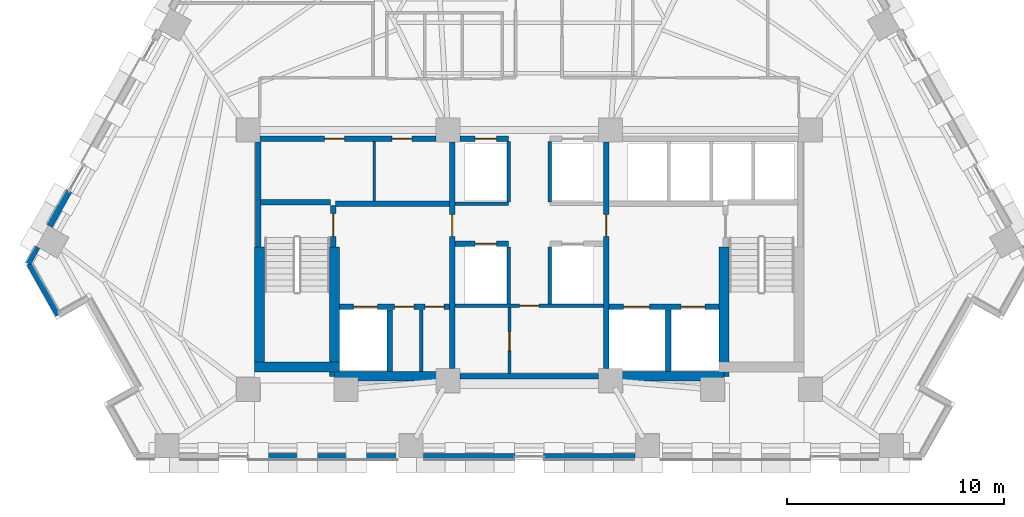
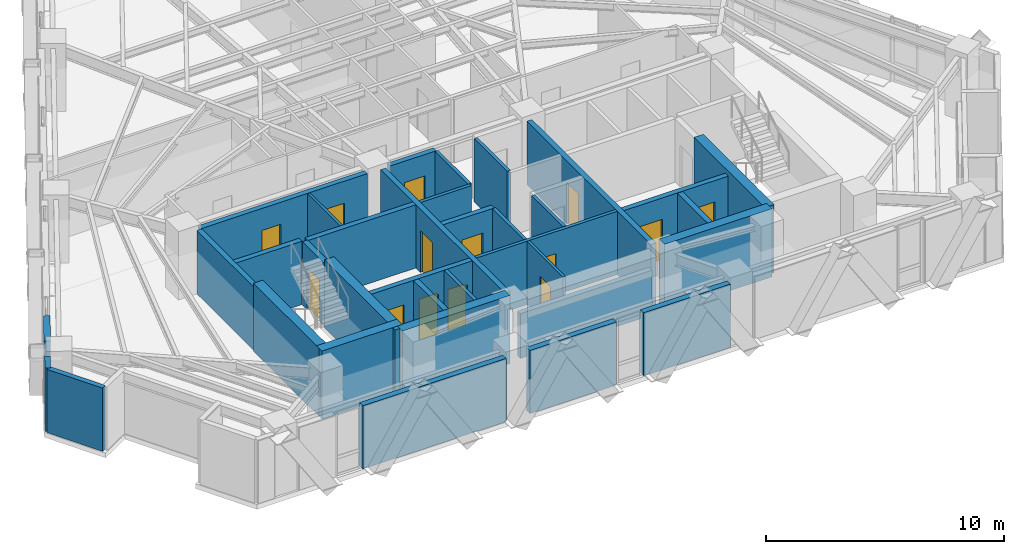
# One storey, part 7 of 13: 35 walls, 14 doors, 14 openings.
"""IFC4 building model written with IfcOpenShell, lengths in metres."""

from ifc_helpers import new_model, si_unit, direction, frame, frame_2d, origin, place, context, subcontext, project, spatial, rectangle, extrude, material, layer, layer_set, type_object, element, fill, save


model = new_model("IFC4")

# Units and contexts
model_context = context("Model", 3, precision=1e-05, world=origin(), true_north=direction((0.0, 1.0)))
body_context = subcontext(model_context, "Body", "Model", "MODEL_VIEW")
ifc_project = project(units=[si_unit("LENGTHUNIT", "METRE"), si_unit("AREAUNIT", "SQUARE_METRE"), si_unit("VOLUMEUNIT", "CUBIC_METRE"), si_unit("PLANEANGLEUNIT", "RADIAN"), si_unit("MASSUNIT", "GRAM", prefix="KILO")], contexts=[model_context])

# Site, building, storey
site_placement = place(None, origin())
site = spatial("IfcSite", under=ifc_project, at=site_placement, CompositionType="ELEMENT")
building_placement = place(site_placement, origin())
building = spatial("IfcBuilding", under=site, at=building_placement, Name="Quenlor Broadcast Tower", CompositionType="ELEMENT")
storey_placement = place(building_placement, frame((0.0, 0.0, 105.5)))
storey = spatial("IfcBuildingStorey", under=building, at=storey_placement, Name="L28", CompositionType="ELEMENT", Elevation=105.5)

# Walls
ifc_material_1 = material(Name="Concrete C50/60", Category="concrete")
ifc_layer_1 = layer(ifc_material_1, 0.449951171875)
ifc_layer_set_1 = layer_set([ifc_layer_1], Name="Core Concrete C50/60 Shear Wall 450")
wall_type_1 = type_object("IfcWallType", Name="Core Concrete C50/60 Shear Wall 450", PredefinedType="SHEAR", material=ifc_layer_set_1)
wall_1_placement = place(storey_placement, frame((-12.64990234375, -15.72509765625, 0.0), z_axis=(0.0, 0.0, 1.0), x_axis=(1.0, 0.0, 0.0)))
element("IfcWall", 1, at=wall_1_placement, inside=storey, type_object=wall_type_1, Name="L28 Core Shear Wall WS-W1", PredefinedType="SHEAR", context=body_context, shape_type="SweptSolid", body=[
    extrude(rectangle(XDim=3.89990234375, YDim=0.449951171875, at=frame_2d((1.949951171875, 0.0))), origin(), (0.0, 0.0, 1.0), 3.5),
])
for number, where, z_axis, x_axis, name in (
    (2, (-8.97509765625, -16.14990234375, 0.0), (0.0, 0.0, 1.0), (1.0, 0.0, 0.0), "L28 Core Shear Wall WS-W2"),
    (3, (3.75, -16.14990234375, 0.0), (0.0, 0.0, 1.0), (1.0, 0.0, 0.0), "L28 Core Shear Wall WS-E1"),
):
    element("IfcWall", number, at=place(storey_placement, frame(where, z_axis=z_axis, x_axis=x_axis)), inside=storey, type_object=wall_type_1, Name=name, PredefinedType="SHEAR", context=body_context, shape_type="SweptSolid", body=[
        extrude(rectangle(XDim=5.22509765625, YDim=0.449951171875, at=frame_2d((2.612548828125, 0.0))), origin(), (0.0, 0.0, 1.0), 3.5),
    ])
wall_2_placement = place(storey_placement, frame((-12.425048828125, -15.72509765625, 0.0), z_axis=(0.0, 0.0, 1.0), x_axis=(0.0, 1.0, 0.0)))
element("IfcWall", 4, at=wall_2_placement, inside=storey, type_object=wall_type_1, Name="L28 Core Shear Wall WF-W", PredefinedType="SHEAR", context=body_context, shape_type="SweptSolid", body=[
    extrude(rectangle(XDim=5.525146484375, YDim=0.449951171875, at=frame_2d((2.7626953125, 0.0))), origin(), (0.0, 0.0, 1.0), 3.5),
])
for number, where, z_axis, x_axis, name in (
    (5, (-8.97509765625, -16.14990234375, 0.0), (0.0, 0.0, 1.0), (0.0, 1.0, 0.0), "L28 Core Shear Wall WI-W"),
    (6, (8.97509765625, -16.14990234375, 0.0), (0.0, 0.0, 1.0), (0.0, 1.0, 0.0), "L28 Core Shear Wall WI-E"),
):
    element("IfcWall", number, at=place(storey_placement, frame(where, z_axis=z_axis, x_axis=x_axis)), inside=storey, type_object=wall_type_1, Name=name, PredefinedType="SHEAR", context=body_context, shape_type="SweptSolid", body=[
        extrude(rectangle(XDim=5.949951171875, YDim=0.449951171875, at=frame_2d((2.97509765625, 0.0))), origin(), (0.0, 0.0, 1.0), 3.5),
    ])

# Wall, opening, door
ifc_material_2 = material(Name="Concrete C40/50", Category="concrete")
ifc_layer_2 = layer(ifc_material_2, 0.25)
ifc_layer_set_2 = layer_set([ifc_layer_2], Name="Fire Rated Concrete C40/50 Core Wall 250")
wall_type_2 = type_object("IfcWallType", Name="Fire Rated Concrete C40/50 Core Wall 250", PredefinedType="PARTITIONING", material=ifc_layer_set_2)
wall_3_placement = place(storey_placement, frame((-9.0400390625, -10.179931640625, 0.0), z_axis=(0.0, 0.0, 1.0), x_axis=(0.0, 1.0, 0.0)))
wall_3 = element("IfcWall", 7, at=wall_3_placement, inside=storey, type_object=wall_type_2, Name="L28 Interior Wall CW-ST1-DR", PredefinedType="PARTITIONING", context=body_context, shape_type="SweptSolid", body=[
    extrude(rectangle(XDim=1.89990234375, YDim=0.25, at=frame_2d((0.949951171875, 0.0))), origin(), (0.0, 0.0, 1.0), 3.25),
])
opening_1_placement = place(wall_3_placement, frame((0.47998046875, 0.0, 0.0)))
opening_1 = element("IfcOpeningElement", 8, at=opening_1_placement, cuts=wall_3, Name="Opening FD-1", PredefinedType="OPENING", context=body_context, shape_type="SweptSolid", body=[
    extrude(rectangle(XDim=1.050048828125, YDim=2.14990234375, at=frame_2d((0.52490234375, 1.074951171875))), frame((0.0, 0.135009765625, 0.0), z_axis=(0.0, -1.0, 0.0), x_axis=(1.0, 0.0, 0.0)), (0.0, 0.0, 1.0), 0.27001953125),
])
ifc_material_3 = material(Name="Fire Rated Steel Door Leaf", Category="steel")
door_type_1 = type_object("IfcDoorType", Name="Fire Isolated Stair Door 1050x2150", OperationType="NOTDEFINED", PredefinedType="DOOR", material=ifc_material_3)
door_1_placement = place(opening_1_placement, origin())
door_1 = element("IfcDoor", 9, at=door_1_placement, inside=storey, type_object=door_type_1, Name="L28 Door DR-ST1", OperationType="SINGLE_SWING_LEFT", OverallHeight=2.14990234375, OverallWidth=1.050048828125, PredefinedType="DOOR", context=body_context, shape_type="SweptSolid", body=[
    extrude(rectangle(XDim=1.050048828125, YDim=2.14990234375, at=frame_2d((0.52490234375, 1.074951171875))), frame((0.0, 0.02490234375, 0.0), z_axis=(0.0, -1.0, 0.0), x_axis=(1.0, 0.0, 0.0)), (0.0, 0.0, 1.0), 0.050048828125),
])
fill(opening_1, door_1)

# Walls
wall_4_placement = place(storey_placement, frame((-12.3798828125, -8.1201171875, 0.0), z_axis=(0.0, 0.0, 1.0), x_axis=(1.0, 0.0, 0.0)))
element("IfcWall", 10, at=wall_4_placement, inside=storey, type_object=wall_type_2, Name="L28 Interior Wall CW-ST1-N", PredefinedType="PARTITIONING", context=body_context, shape_type="SweptSolid", body=[
    extrude(rectangle(XDim=3.219970703125, YDim=0.25, at=frame_2d((1.60986328125, 0.0))), origin(), (0.0, 0.0, 1.0), 3.25),
])
wall_5_placement = place(storey_placement, frame((-12.47998046875, -10.179931640625, 0.0), z_axis=(0.0, 0.0, 1.0), x_axis=(0.0, 1.0, 0.0)))
element("IfcWall", 11, at=wall_5_placement, inside=storey, type_object=wall_type_2, Name="L28 Interior Wall CW-ST1-W2", PredefinedType="PARTITIONING", context=body_context, shape_type="SweptSolid", body=[
    extrude(rectangle(XDim=4.827880859375, YDim=0.25, at=frame_2d((2.4140625, 0.0))), origin(), (0.0, 0.0, 1.0), 3.25),
])

# Wall, openings, doors
wall_6_placement = place(storey_placement, frame((-8.748046875, -12.949951171875, 0.0), z_axis=(0.0, 0.0, 1.0), x_axis=(1.0, 0.0, 0.0)))
wall_6 = element("IfcWall", 12, at=wall_6_placement, inside=storey, type_object=wall_type_2, Name="L28 Interior Wall CW-FFW-S", PredefinedType="PARTITIONING", context=body_context, shape_type="SweptSolid", body=[
    extrude(rectangle(XDim=5.068115234375, YDim=0.25, at=frame_2d((2.5341796875, 0.0))), origin(), (0.0, 0.0, 1.0), 3.25),
])
opening_2_placement = place(wall_6_placement, frame((0.64794921875, 0.0, 0.0)))
opening_2 = element("IfcOpeningElement", 13, at=opening_2_placement, cuts=wall_6, Name="Opening LD-FFL-1", PredefinedType="OPENING", context=body_context, shape_type="SweptSolid", body=[
    extrude(rectangle(XDim=1.10009765625, YDim=2.14990234375, at=frame_2d((0.550048828125, 1.074951171875))), frame((0.0, 0.135009765625, 0.0), z_axis=(0.0, -1.0, 0.0), x_axis=(1.0, 0.0, 0.0)), (0.0, 0.0, 1.0), 0.27001953125),
])
opening_3_placement = place(wall_6_placement, frame((2.548095703125, 0.0, 0.0)))
opening_3 = element("IfcOpeningElement", 14, at=opening_3_placement, cuts=wall_6, Name="Opening TD-1", PredefinedType="OPENING", context=body_context, shape_type="SweptSolid", body=[
    extrude(rectangle(XDim=0.8798828125, YDim=2.10009765625, at=frame_2d((0.43994140625, 1.050048828125))), frame((0.0, 0.135009765625, 0.0), z_axis=(0.0, -1.0, 0.0), x_axis=(1.0, 0.0, 0.0)), (0.0, 0.0, 1.0), 0.27001953125),
])
opening_4_placement = place(wall_6_placement, frame((3.947998046875, 0.0, 0.0)))
opening_4 = element("IfcOpeningElement", 15, at=opening_4_placement, cuts=wall_6, Name="Opening TD-1", PredefinedType="OPENING", context=body_context, shape_type="SweptSolid", body=[
    extrude(rectangle(XDim=0.8798828125, YDim=2.10009765625, at=frame_2d((0.43994140625, 1.050048828125))), frame((0.0, 0.135009765625, 0.0), z_axis=(0.0, -1.0, 0.0), x_axis=(1.0, 0.0, 0.0)), (0.0, 0.0, 1.0), 0.27001953125),
])
ifc_material_4 = material(Name="Brushed Stainless Steel", Category="steel")
door_type_2 = type_object("IfcDoorType", Name="Emergency Lift Sliding Landing Door 1100x2150", OperationType="NOTDEFINED", PredefinedType="DOOR", material=ifc_material_4)
door_2_placement = place(opening_2_placement, origin())
door_2 = element("IfcDoor", 16, at=door_2_placement, inside=storey, type_object=door_type_2, Name="L28 Door LD-FFL-1", OperationType="SLIDING_TO_LEFT", OverallHeight=2.14990234375, OverallWidth=1.10009765625, PredefinedType="DOOR", context=body_context, shape_type="SweptSolid", body=[
    extrude(rectangle(XDim=1.10009765625, YDim=2.14990234375, at=frame_2d((0.550048828125, 1.074951171875))), frame((0.0, 0.02490234375, 0.0), z_axis=(0.0, -1.0, 0.0), x_axis=(1.0, 0.0, 0.0)), (0.0, 0.0, 1.0), 0.050048828125),
])
fill(opening_2, door_2)
ifc_material_5 = material(Name="Fire Rated Steel Access Panel", Category="steel")
door_type_3 = type_object("IfcDoorType", Name="Riser Shaft Rated Access Trapdoor 880x2100", OperationType="NOTDEFINED", PredefinedType="TRAPDOOR", material=ifc_material_5)
door_3_placement = place(opening_3_placement, origin())
door_3 = element("IfcDoor", 17, at=door_3_placement, inside=storey, type_object=door_type_3, Name="L28 Door DR-ELR", OperationType="SINGLE_SWING_LEFT", OverallHeight=2.10009765625, OverallWidth=0.8798828125, PredefinedType="TRAPDOOR", context=body_context, shape_type="SweptSolid", body=[
    extrude(rectangle(XDim=0.8798828125, YDim=2.10009765625, at=frame_2d((0.43994140625, 1.050048828125))), frame((0.0, 0.02490234375, 0.0), z_axis=(0.0, -1.0, 0.0), x_axis=(1.0, 0.0, 0.0)), (0.0, 0.0, 1.0), 0.050048828125),
])
fill(opening_3, door_3)
door_4_placement = place(opening_4_placement, origin())
door_4 = element("IfcDoor", 18, at=door_4_placement, inside=storey, type_object=door_type_3, Name="L28 Door DR-CMR", OperationType="SINGLE_SWING_RIGHT", OverallHeight=2.10009765625, OverallWidth=0.8798828125, PredefinedType="TRAPDOOR", context=body_context, shape_type="SweptSolid", body=[
    extrude(rectangle(XDim=0.8798828125, YDim=2.10009765625, at=frame_2d((0.43994140625, 1.050048828125))), frame((0.0, 0.02490234375, 0.0), z_axis=(0.0, -1.0, 0.0), x_axis=(1.0, 0.0, 0.0)), (0.0, 0.0, 1.0), 0.050048828125),
])
fill(opening_4, door_4)

wall_7_placement = place(storey_placement, frame((3.679931640625, -12.949951171875, 0.0), z_axis=(0.0, 0.0, 1.0), x_axis=(1.0, 0.0, 0.0)))
wall_7 = element("IfcWall", 19, at=wall_7_placement, inside=storey, type_object=wall_type_2, Name="L28 Interior Wall CW-FFE-S", PredefinedType="PARTITIONING", context=body_context, shape_type="SweptSolid", body=[
    extrude(rectangle(XDim=5.068115234375, YDim=0.25, at=frame_2d((2.5341796875, 0.0))), origin(), (0.0, 0.0, 1.0), 3.25),
])
opening_5_placement = place(wall_7_placement, frame((3.320068359375, 0.0, 0.0)))
opening_5 = element("IfcOpeningElement", 20, at=opening_5_placement, cuts=wall_7, Name="Opening LD-FFL-2", PredefinedType="OPENING", context=body_context, shape_type="SweptSolid", body=[
    extrude(rectangle(XDim=1.10009765625, YDim=2.14990234375, at=frame_2d((0.550048828125, 1.074951171875))), frame((0.0, 0.135009765625, 0.0), z_axis=(0.0, -1.0, 0.0), x_axis=(1.0, 0.0, 0.0)), (0.0, 0.0, 1.0), 0.27001953125),
])
opening_6_placement = place(wall_7_placement, frame((0.669921875, 0.0, 0.0)))
opening_6 = element("IfcOpeningElement", 21, at=opening_6_placement, cuts=wall_7, Name="Opening LD-SVL-1", PredefinedType="OPENING", context=body_context, shape_type="SweptSolid", body=[
    extrude(rectangle(XDim=1.199951171875, YDim=2.14990234375, at=frame_2d((0.60009765625, 1.074951171875))), frame((0.0, 0.135009765625, 0.0), z_axis=(0.0, -1.0, 0.0), x_axis=(1.0, 0.0, 0.0)), (0.0, 0.0, 1.0), 0.27001953125),
])
door_5_placement = place(opening_5_placement, origin())
door_5 = element("IfcDoor", 22, at=door_5_placement, inside=storey, type_object=door_type_2, Name="L28 Door LD-FFL-2", OperationType="SLIDING_TO_RIGHT", OverallHeight=2.14990234375, OverallWidth=1.10009765625, PredefinedType="DOOR", context=body_context, shape_type="SweptSolid", body=[
    extrude(rectangle(XDim=1.10009765625, YDim=2.14990234375, at=frame_2d((0.550048828125, 1.074951171875))), frame((0.0, 0.02490234375, 0.0), z_axis=(0.0, -1.0, 0.0), x_axis=(1.0, 0.0, 0.0)), (0.0, 0.0, 1.0), 0.050048828125),
])
fill(opening_5, door_5)
ifc_material_6 = material(Name="Brushed Stainless Steel", Category="steel")
door_type_4 = type_object("IfcDoorType", Name="Goods Lift Sliding Landing Door 1200x2150", OperationType="NOTDEFINED", PredefinedType="DOOR", material=ifc_material_6)
door_6_placement = place(opening_6_placement, origin())
door_6 = element("IfcDoor", 23, at=door_6_placement, inside=storey, type_object=door_type_4, Name="L28 Door LD-SVL-1", OperationType="SLIDING_TO_LEFT", OverallHeight=2.14990234375, OverallWidth=1.199951171875, PredefinedType="DOOR", context=body_context, shape_type="SweptSolid", body=[
    extrude(rectangle(XDim=1.199951171875, YDim=2.14990234375, at=frame_2d((0.60009765625, 1.074951171875))), frame((0.0, 0.02490234375, 0.0), z_axis=(0.0, -1.0, 0.0), x_axis=(1.0, 0.0, 0.0)), (0.0, 0.0, 1.0), 0.050048828125),
])
fill(opening_6, door_6)

# Walls
for number, where, z_axis, x_axis, name in (
    (24, (-6.419921875, -15.919921875, 0.0), (0.0, 0.0, 1.0), (0.0, 1.0, 0.0), "L28 Interior Wall CW-FF1-E"),
    (25, (6.39990234375, -15.919921875, 0.0), (0.0, 0.0, 1.0), (0.0, 1.0, 0.0), "L28 Interior Wall CW-SV1-E"),
):
    element("IfcWall", number, at=place(storey_placement, frame(where, z_axis=z_axis, x_axis=x_axis)), inside=storey, type_object=wall_type_2, Name=name, PredefinedType="PARTITIONING", context=body_context, shape_type="SweptSolid", body=[
        extrude(rectangle(XDim=2.829833984375, YDim=0.25, at=frame_2d((1.4150390625, 0.0))), origin(), (0.0, 0.0, 1.0), 3.25),
    ])
wall_8_placement = place(storey_placement, frame((-8.919921875, -8.199951171875, 0.0), z_axis=(0.0, 0.0, 1.0), x_axis=(1.0, 0.0, 0.0)))
element("IfcWall", 26, at=wall_8_placement, inside=storey, type_object=wall_type_2, Name="L28 Interior Wall CW-FFW-N", PredefinedType="PARTITIONING", context=body_context, shape_type="SweptSolid", body=[
    extrude(rectangle(XDim=5.239990234375, YDim=0.25, at=frame_2d((2.6201171875, 0.0))), origin(), (0.0, 0.0, 1.0), 3.25),
])

# Wall, opening, door
wall_9_placement = place(storey_placement, frame((-3.550048828125, -15.798095703125, 0.0), z_axis=(0.0, 0.0, 1.0), x_axis=(0.0, 1.0, 0.0)))
wall_9 = element("IfcWall", 27, at=wall_9_placement, inside=storey, type_object=wall_type_2, Name="L28 Interior Wall CW-FFW-E", PredefinedType="PARTITIONING", context=body_context, shape_type="SweptSolid", body=[
    extrude(rectangle(XDim=10.446044921875, YDim=0.25, at=frame_2d((5.22314453125, 0.0))), origin(), (0.0, 0.0, 1.0), 3.25),
])
opening_7_placement = place(wall_9_placement, frame((6.097900390625, 0.0, 0.0)))
opening_7 = element("IfcOpeningElement", 28, at=opening_7_placement, cuts=wall_9, Name="Opening FD-2", PredefinedType="OPENING", context=body_context, shape_type="SweptSolid", body=[
    extrude(rectangle(XDim=1.0, YDim=2.14990234375, at=frame_2d((0.5, 1.074951171875))), frame((0.0, 0.135009765625, 0.0), z_axis=(0.0, -1.0, 0.0), x_axis=(1.0, 0.0, 0.0)), (0.0, 0.0, 1.0), 0.27001953125),
])
ifc_material_7 = material(Name="Fire Rated Glazed Steel Door", Category="steel")
door_type_5 = type_object("IfcDoorType", Name="Firefighting Lobby Smoke Door 1000x2150", OperationType="NOTDEFINED", PredefinedType="DOOR", material=ifc_material_7)
door_7_placement = place(opening_7_placement, origin())
door_7 = element("IfcDoor", 29, at=door_7_placement, inside=storey, type_object=door_type_5, Name="L28 Door DR-FFLW", OperationType="SINGLE_SWING_RIGHT", OverallHeight=2.14990234375, OverallWidth=1.0, PredefinedType="DOOR", context=body_context, shape_type="SweptSolid", body=[
    extrude(rectangle(XDim=1.0, YDim=2.14990234375, at=frame_2d((0.5, 1.074951171875))), frame((0.0, 0.02490234375, 0.0), z_axis=(0.0, -1.0, 0.0), x_axis=(1.0, 0.0, 0.0)), (0.0, 0.0, 1.0), 0.050048828125),
])
fill(opening_7, door_7)

wall_10_placement = place(storey_placement, frame((3.550048828125, -15.798095703125, 0.0), z_axis=(0.0, 0.0, 1.0), x_axis=(0.0, 1.0, 0.0)))
wall_10 = element("IfcWall", 30, at=wall_10_placement, inside=storey, type_object=wall_type_2, Name="L28 Interior Wall CW-FFE-W", PredefinedType="PARTITIONING", context=body_context, shape_type="SweptSolid", body=[
    extrude(rectangle(XDim=10.446044921875, YDim=0.25, at=frame_2d((5.22314453125, 0.0))), origin(), (0.0, 0.0, 1.0), 3.25),
])
opening_8_placement = place(wall_10_placement, frame((6.097900390625, 0.0, 0.0)))
opening_8 = element("IfcOpeningElement", 31, at=opening_8_placement, cuts=wall_10, Name="Opening FD-2", PredefinedType="OPENING", context=body_context, shape_type="SweptSolid", body=[
    extrude(rectangle(XDim=1.0, YDim=2.14990234375, at=frame_2d((0.5, 1.074951171875))), frame((0.0, 0.135009765625, 0.0), z_axis=(0.0, -1.0, 0.0), x_axis=(1.0, 0.0, 0.0)), (0.0, 0.0, 1.0), 0.27001953125),
])
door_8_placement = place(opening_8_placement, origin())
door_8 = element("IfcDoor", 32, at=door_8_placement, inside=storey, type_object=door_type_5, Name="L28 Door DR-FFLE", OperationType="SINGLE_SWING_LEFT", OverallHeight=2.14990234375, OverallWidth=1.0, PredefinedType="DOOR", context=body_context, shape_type="SweptSolid", body=[
    extrude(rectangle(XDim=1.0, YDim=2.14990234375, at=frame_2d((0.5, 1.074951171875))), frame((0.0, 0.02490234375, 0.0), z_axis=(0.0, -1.0, 0.0), x_axis=(1.0, 0.0, 0.0)), (0.0, 0.0, 1.0), 0.050048828125),
])
fill(opening_8, door_8)

# Wall, openings, doors
wall_11_placement = place(storey_placement, frame((-12.39794921875, -5.199951171875, 0.0), z_axis=(0.0, 0.0, 1.0), x_axis=(1.0, 0.0, 0.0)))
wall_11 = element("IfcWall", 33, at=wall_11_placement, inside=storey, type_object=wall_type_2, Name="L28 Interior Wall CW-N-W", PredefinedType="PARTITIONING", context=body_context, shape_type="SweptSolid", body=[
    extrude(rectangle(XDim=8.095947265625, YDim=0.25, at=frame_2d((4.0478515625, 0.0))), origin(), (0.0, 0.0, 1.0), 3.25),
])
opening_9_placement = place(wall_11_placement, frame((2.968017578125, 0.0, 0.0)))
opening_9 = element("IfcOpeningElement", 34, at=opening_9_placement, cuts=wall_11, Name="Opening ID-1", PredefinedType="OPENING", context=body_context, shape_type="SweptSolid", body=[
    extrude(rectangle(XDim=0.919921875, YDim=2.1201171875, at=frame_2d((0.4599609375, 1.06005859375))), frame((0.0, 0.135009765625, 0.0), z_axis=(0.0, -1.0, 0.0), x_axis=(1.0, 0.0, 0.0)), (0.0, 0.0, 1.0), 0.27001953125),
])
opening_10_placement = place(wall_11_placement, frame((6.068115234375, 0.0, 0.0)))
opening_10 = element("IfcOpeningElement", 35, at=opening_10_placement, cuts=wall_11, Name="Opening ID-1", PredefinedType="OPENING", context=body_context, shape_type="SweptSolid", body=[
    extrude(rectangle(XDim=0.919921875, YDim=2.1201171875, at=frame_2d((0.4599609375, 1.06005859375))), frame((0.0, 0.135009765625, 0.0), z_axis=(0.0, -1.0, 0.0), x_axis=(1.0, 0.0, 0.0)), (0.0, 0.0, 1.0), 0.27001953125),
])
ifc_material_8 = material(Name="Solid Core Timber Oak", Category="wood")
door_type_6 = type_object("IfcDoorType", Name="Single Leaf Timber Office Door 920x2120", OperationType="NOTDEFINED", PredefinedType="DOOR", material=ifc_material_8)
door_9_placement = place(opening_9_placement, origin())
door_9 = element("IfcDoor", 36, at=door_9_placement, inside=storey, type_object=door_type_6, Name="L28 Door DR-RCL1", OperationType="SINGLE_SWING_LEFT", OverallHeight=2.1201171875, OverallWidth=0.919921875, PredefinedType="DOOR", context=body_context, shape_type="SweptSolid", body=[
    extrude(rectangle(XDim=0.919921875, YDim=2.1201171875, at=frame_2d((0.4599609375, 1.06005859375))), frame((0.0, 0.02490234375, 0.0), z_axis=(0.0, -1.0, 0.0), x_axis=(1.0, 0.0, 0.0)), (0.0, 0.0, 1.0), 0.050048828125),
])
fill(opening_9, door_9)
door_10_placement = place(opening_10_placement, origin())
door_10 = element("IfcDoor", 37, at=door_10_placement, inside=storey, type_object=door_type_6, Name="L28 Door DR-RCL2", OperationType="SINGLE_SWING_RIGHT", OverallHeight=2.1201171875, OverallWidth=0.919921875, PredefinedType="DOOR", context=body_context, shape_type="SweptSolid", body=[
    extrude(rectangle(XDim=0.919921875, YDim=2.1201171875, at=frame_2d((0.4599609375, 1.06005859375))), frame((0.0, 0.02490234375, 0.0), z_axis=(0.0, -1.0, 0.0), x_axis=(1.0, 0.0, 0.0)), (0.0, 0.0, 1.0), 0.050048828125),
])
fill(opening_10, door_10)

# Wall, opening, door
wall_12_placement = place(storey_placement, frame((-3.197998046875, -5.199951171875, 0.0), z_axis=(0.0, 0.0, 1.0), x_axis=(1.0, 0.0, 0.0)))
wall_12 = element("IfcWall", 38, at=wall_12_placement, inside=storey, type_object=wall_type_2, Name="L28 Interior Wall CW-N-M1", PredefinedType="PARTITIONING", context=body_context, shape_type="SweptSolid", body=[
    extrude(rectangle(XDim=2.248046875, YDim=0.25, at=frame_2d((1.1240234375, 0.0))), origin(), (0.0, 0.0, 1.0), 3.25),
])
opening_11_placement = place(wall_12_placement, frame((0.697998046875, 0.0, 0.0)))
opening_11 = element("IfcOpeningElement", 39, at=opening_11_placement, cuts=wall_12, Name="Opening LD-PL-M1", PredefinedType="OPENING", context=body_context, shape_type="SweptSolid", body=[
    extrude(rectangle(XDim=1.0, YDim=2.14990234375, at=frame_2d((0.5, 1.074951171875))), frame((0.0, 0.135009765625, 0.0), z_axis=(0.0, -1.0, 0.0), x_axis=(1.0, 0.0, 0.0)), (0.0, 0.0, 1.0), 0.27001953125),
])
ifc_material_9 = material(Name="Brushed Stainless Steel", Category="steel")
door_type_7 = type_object("IfcDoorType", Name="Passenger Lift Sliding Landing Door 1000x2150", OperationType="NOTDEFINED", PredefinedType="DOOR", material=ifc_material_9)
door_11_placement = place(opening_11_placement, origin())
door_11 = element("IfcDoor", 40, at=door_11_placement, inside=storey, type_object=door_type_7, Name="L28 Door LD-PL-M1", OperationType="SLIDING_TO_LEFT", OverallHeight=2.14990234375, OverallWidth=1.0, PredefinedType="DOOR", context=body_context, shape_type="SweptSolid", body=[
    extrude(rectangle(XDim=1.0, YDim=2.14990234375, at=frame_2d((0.5, 1.074951171875))), frame((0.0, 0.02490234375, 0.0), z_axis=(0.0, -1.0, 0.0), x_axis=(1.0, 0.0, 0.0)), (0.0, 0.0, 1.0), 0.050048828125),
])
fill(opening_11, door_11)

# Wall
wall_13_placement = place(storey_placement, frame((-3.197998046875, -16.14990234375, 0.0), z_axis=(0.0, 0.0, 1.0), x_axis=(1.0, 0.0, 0.0)))
element("IfcWall", 41, at=wall_13_placement, inside=storey, type_object=wall_type_2, Name="L28 Interior Wall CW-MS-S", PredefinedType="PARTITIONING", context=body_context, shape_type="SweptSolid", body=[
    extrude(rectangle(XDim=6.39599609375, YDim=0.25, at=frame_2d((3.197998046875, 0.0))), origin(), (0.0, 0.0, 1.0), 2.300048828125),
])

# Wall, opening, door
wall_14_placement = place(storey_placement, frame((-3.419921875, -10.050048828125, 0.0), z_axis=(0.0, 0.0, 1.0), x_axis=(1.0, 0.0, 0.0)))
wall_14 = element("IfcWall", 42, at=wall_14_placement, inside=storey, type_object=wall_type_2, Name="L28 Interior Wall CW-MS-N1", PredefinedType="PARTITIONING", context=body_context, shape_type="SweptSolid", body=[
    extrude(rectangle(XDim=2.469970703125, YDim=0.25, at=frame_2d((1.23486328125, 0.0))), origin(), (0.0, 0.0, 1.0), 3.25),
])
opening_12_placement = place(wall_14_placement, frame((0.919921875, 0.0, 0.0)))
opening_12 = element("IfcOpeningElement", 43, at=opening_12_placement, cuts=wall_14, Name="Opening LD-PL-M3", PredefinedType="OPENING", context=body_context, shape_type="SweptSolid", body=[
    extrude(rectangle(XDim=1.0, YDim=2.14990234375, at=frame_2d((0.5, 1.074951171875))), frame((0.0, 0.135009765625, 0.0), z_axis=(0.0, -1.0, 0.0), x_axis=(1.0, 0.0, 0.0)), (0.0, 0.0, 1.0), 0.27001953125),
])
door_12_placement = place(opening_12_placement, origin())
door_12 = element("IfcDoor", 44, at=door_12_placement, inside=storey, type_object=door_type_7, Name="L28 Door LD-PL-M3", OperationType="SLIDING_TO_LEFT", OverallHeight=2.14990234375, OverallWidth=1.0, PredefinedType="DOOR", context=body_context, shape_type="SweptSolid", body=[
    extrude(rectangle(XDim=1.0, YDim=2.14990234375, at=frame_2d((0.5, 1.074951171875))), frame((0.0, 0.02490234375, 0.0), z_axis=(0.0, -1.0, 0.0), x_axis=(1.0, 0.0, 0.0)), (0.0, 0.0, 1.0), 0.050048828125),
])
fill(opening_12, door_12)

# Walls
ifc_material_10 = material(Name="Gypsum Fireboard Partition", Category="other")
ifc_layer_3 = layer(ifc_material_10, 0.159912109375)
ifc_layer_set_3 = layer_set([ifc_layer_3], Name="Fire Rated Shaft and Corridor Partition 160")
wall_type_3 = type_object("IfcWallType", Name="Fire Rated Shaft and Corridor Partition 160", PredefinedType="PARTITIONING", material=ifc_layer_set_3)
wall_15_placement = place(storey_placement, frame((-4.97998046875, -15.919921875, 0.0), z_axis=(0.0, 0.0, 1.0), x_axis=(0.0, 1.0, 0.0)))
element("IfcWall", 45, at=wall_15_placement, inside=storey, type_object=wall_type_3, Name="L28 Interior Wall CW-ELR-E", PredefinedType="PARTITIONING", context=body_context, shape_type="SweptSolid", body=[
    extrude(rectangle(XDim=2.829833984375, YDim=0.159912109375, at=frame_2d((1.4150390625, 0.0))), origin(), (0.0, 0.0, 1.0), 3.25),
])
for number, where, z_axis, x_axis, name in (
    (46, (-0.949951171875, -8.1201171875, 0.0), (0.0, 0.0, 1.0), (0.0, 1.0, 0.0), "L28 Interior Wall CW-CCRP-W"),
    (47, (0.949951171875, -8.1201171875, 0.0), (0.0, 0.0, 1.0), (0.0, 1.0, 0.0), "L28 Interior Wall CW-CCRP-E"),
):
    element("IfcWall", number, at=place(storey_placement, frame(where, z_axis=z_axis, x_axis=x_axis)), inside=storey, type_object=wall_type_3, Name=name, PredefinedType="PARTITIONING", context=body_context, shape_type="SweptSolid", body=[
        extrude(rectangle(XDim=2.780029296875, YDim=0.159912109375, at=frame_2d((1.39013671875, 0.0))), origin(), (0.0, 0.0, 1.0), 3.25),
    ])
wall_16_placement = place(storey_placement, frame((-3.419921875, -8.199951171875, 0.0), z_axis=(0.0, 0.0, 1.0), x_axis=(1.0, 0.0, 0.0)))
element("IfcWall", 48, at=wall_16_placement, inside=storey, type_object=wall_type_3, Name="L28 Interior Wall CW-M-BACK1", PredefinedType="PARTITIONING", context=body_context, shape_type="SweptSolid", body=[
    extrude(rectangle(XDim=2.469970703125, YDim=0.159912109375, at=frame_2d((1.23486328125, 0.0))), origin(), (0.0, 0.0, 1.0), 3.25),
])

# Wall, opening, door
wall_17_placement = place(storey_placement, frame((-3.419921875, -12.89990234375, 0.0), z_axis=(0.0, 0.0, 1.0), x_axis=(1.0, 0.0, 0.0)))
wall_17 = element("IfcWall", 49, at=wall_17_placement, inside=storey, type_object=wall_type_3, Name="L28 Interior Wall CW-MS-B", PredefinedType="PARTITIONING", context=body_context, shape_type="SweptSolid", body=[
    extrude(rectangle(XDim=6.83984375, YDim=0.159912109375, at=frame_2d((3.419921875, 0.0))), origin(), (0.0, 0.0, 1.0), 3.25),
])
opening_13_placement = place(wall_17_placement, frame((2.97998046875, 0.0, 0.0)))
opening_13 = element("IfcOpeningElement", 50, at=opening_13_placement, cuts=wall_17, Name="Opening ID-4", PredefinedType="OPENING", context=body_context, shape_type="SweptSolid", body=[
    extrude(rectangle(XDim=0.8798828125, YDim=2.1201171875, at=frame_2d((0.43994140625, 1.06005859375))), frame((0.0, 0.08984375, 0.0), z_axis=(0.0, -1.0, 0.0), x_axis=(1.0, 0.0, 0.0)), (0.0, 0.0, 1.0), 0.179931640625),
])
ifc_material_11 = material(Name="Solid Core Timber Oak", Category="wood")
door_type_8 = type_object("IfcDoorType", Name="Service Closet Timber Door 880x2120", OperationType="NOTDEFINED", PredefinedType="DOOR", material=ifc_material_11)
door_13_placement = place(opening_13_placement, origin())
door_13 = element("IfcDoor", 51, at=door_13_placement, inside=storey, type_object=door_type_8, Name="L28 Door DR-CSV0", OperationType="SINGLE_SWING_LEFT", OverallHeight=2.1201171875, OverallWidth=0.8798828125, PredefinedType="DOOR", context=body_context, shape_type="SweptSolid", body=[
    extrude(rectangle(XDim=0.8798828125, YDim=2.1201171875, at=frame_2d((0.43994140625, 1.06005859375))), frame((0.0, 0.02490234375, 0.0), z_axis=(0.0, -1.0, 0.0), x_axis=(1.0, 0.0, 0.0)), (0.0, 0.0, 1.0), 0.050048828125),
])
fill(opening_13, door_13)

# Walls
for number, where, z_axis, x_axis, name in (
    (52, (-0.949951171875, -12.818115234375, 0.0), (0.0, 0.0, 1.0), (0.0, 1.0, 0.0), "L28 Interior Wall CW-MS-W"),
    (53, (0.949951171875, -12.818115234375, 0.0), (0.0, 0.0, 1.0), (0.0, 1.0, 0.0), "L28 Interior Wall CW-MS-E"),
):
    element("IfcWall", number, at=place(storey_placement, frame(where, z_axis=z_axis, x_axis=x_axis)), inside=storey, type_object=wall_type_3, Name=name, PredefinedType="PARTITIONING", context=body_context, shape_type="SweptSolid", body=[
        extrude(rectangle(XDim=2.63818359375, YDim=0.159912109375, at=frame_2d((1.319091796875, 0.0))), origin(), (0.0, 0.0, 1.0), 3.25),
    ])
ifc_material_12 = material(Name="Gypsum Plasterboard Partition", Category="other")
ifc_layer_4 = layer(ifc_material_12, 0.1201171875)
ifc_layer_set_4 = layer_set([ifc_layer_4], Name="Standard Office Partition 120")
wall_type_4 = type_object("IfcWallType", Name="Standard Office Partition 120", PredefinedType="PARTITIONING", material=ifc_layer_set_4)
wall_18_placement = place(storey_placement, frame((-7.14990234375, -8.072998046875, 0.0), z_axis=(0.0, 0.0, 1.0), x_axis=(0.0, 1.0, 0.0)))
element("IfcWall", 54, at=wall_18_placement, inside=storey, type_object=wall_type_4, Name="L28 Interior Wall CW-RCL-MID", PredefinedType="PARTITIONING", context=body_context, shape_type="SweptSolid", body=[
    extrude(rectangle(XDim=2.73291015625, YDim=0.1201171875, at=frame_2d((1.366455078125, 0.0))), origin(), (0.0, 0.0, 1.0), 3.25),
])

# Wall, opening, door
wall_19_placement = place(storey_placement, frame((-0.909912109375, -16.02001953125, 0.0), z_axis=(0.0, 0.0, 1.0), x_axis=(0.0, 1.0, 0.0)))
wall_19 = element("IfcWall", 55, at=wall_19_placement, inside=storey, type_object=wall_type_4, Name="L28 Interior Wall CW-CSV-W1", PredefinedType="PARTITIONING", context=body_context, shape_type="SweptSolid", body=[
    extrude(rectangle(XDim=3.0380859375, YDim=0.1201171875, at=frame_2d((1.51904296875, 0.0))), origin(), (0.0, 0.0, 1.0), 3.25),
])
opening_14_placement = place(wall_19_placement, frame((1.050048828125, 0.0, 0.0)))
opening_14 = element("IfcOpeningElement", 56, at=opening_14_placement, cuts=wall_19, Name="Opening ID-4", PredefinedType="OPENING", context=body_context, shape_type="SweptSolid", body=[
    extrude(rectangle(XDim=0.8798828125, YDim=2.1201171875, at=frame_2d((0.43994140625, 1.06005859375))), frame((0.0, 0.070068359375, 0.0), z_axis=(0.0, -1.0, 0.0), x_axis=(1.0, 0.0, 0.0)), (0.0, 0.0, 1.0), 0.14013671875),
])
door_14_placement = place(opening_14_placement, origin())
door_14 = element("IfcDoor", 57, at=door_14_placement, inside=storey, type_object=door_type_8, Name="L28 Door DR-CSV1", OperationType="SINGLE_SWING_LEFT", OverallHeight=2.1201171875, OverallWidth=0.8798828125, PredefinedType="DOOR", context=body_context, shape_type="SweptSolid", body=[
    extrude(rectangle(XDim=0.8798828125, YDim=2.1201171875, at=frame_2d((0.43994140625, 1.06005859375))), frame((0.0, 0.02490234375, 0.0), z_axis=(0.0, -1.0, 0.0), x_axis=(1.0, 0.0, 0.0)), (0.0, 0.0, 1.0), 0.050048828125),
])
fill(opening_14, door_14)

# Walls
ifc_material_13 = material(Name="Precast concrete C40/50", Category="concrete")
ifc_layer_5 = layer(ifc_material_13, 0.239990234375)
ifc_layer_set_5 = layer_set([ifc_layer_5], Name="Terrace Threshold Precast Concrete C40/50 Wall 240")
wall_type_5 = type_object("IfcWallType", Name="Terrace Threshold Precast Concrete C40/50 Wall 240", PredefinedType="STANDARD", material=ifc_layer_set_5)
wall_20_placement = place(storey_placement, frame((-23.078125, -10.9541015625, 0.0), z_axis=(0.0, 0.0, 1.0), x_axis=(0.490355003566, 0.871522788272, 0.0)))
element("IfcWall", 58, at=wall_20_placement, inside=storey, type_object=wall_type_5, Name="L28 Exterior Wall L28-SHD-NWS0", PredefinedType="STANDARD", context=body_context, shape_type="SweptSolid", body=[
    extrude(rectangle(XDim=0.865234375, YDim=0.239990234375, at=frame_2d((0.4326171875, 0.0))), origin(), (0.0, 0.0, 1.0), 3.25),
])
wall_21_placement = place(storey_placement, frame((-23.043701171875, -10.962890625, 0.0), z_axis=(0.0, 0.0, 1.0), x_axis=(0.490218533594, -0.871599557894, 0.0)))
element("IfcWall", 59, at=wall_21_placement, inside=storey, type_object=wall_type_5, Name="L28 Exterior Wall L28-CNR-12", PredefinedType="STANDARD", context=body_context, shape_type="SweptSolid", body=[
    extrude(rectangle(XDim=2.714111328125, YDim=0.239990234375, at=frame_2d((1.35693359375, 0.0))), origin(), (0.0, 0.0, 1.0), 3.25),
])
ifc_material_14 = material(Name="Precast concrete C40/50", Category="concrete")
ifc_layer_6 = layer(ifc_material_14, 0.280029296875)
ifc_layer_set_6 = layer_set([ifc_layer_6], Name="Terracotta Precast Concrete C40/50 Facade Wall 280")
wall_type_6 = type_object("IfcWallType", Name="Terracotta Precast Concrete C40/50 Facade Wall 280", PredefinedType="STANDARD", material=ifc_layer_set_6)
wall_22_placement = place(storey_placement, frame((-6.018310546875, -19.840087890625, 0.0), z_axis=(0.0, 0.0, 1.0), x_axis=(-1.0, 0.0, 0.0)))
element("IfcWall", 60, at=wall_22_placement, inside=storey, type_object=wall_type_6, Name="L28 Exterior Wall L28-SC-SP1", PredefinedType="STANDARD", context=body_context, shape_type="SweptSolid", body=[
    extrude(rectangle(XDim=6.96044921875, YDim=0.280029296875, at=frame_2d((3.480224609375, 0.0))), origin(), (0.0, 0.0, 1.0), 3.25),
])
for number, where, z_axis, x_axis, name in (
    (61, (4.873291015625, -19.840087890625, 0.0), (0.0, 0.0, 1.0), (-1.0, 0.0, 0.0), "L28 Exterior Wall L28-S-SP1"),
    (62, (-0.656494140625, -19.840087890625, 0.0), (0.0, 0.0, 1.0), (-1.0, 0.0, 0.0), "L28 Exterior Wall L28-S-SP2"),
):
    element("IfcWall", number, at=place(storey_placement, frame(where, z_axis=z_axis, x_axis=x_axis)), inside=storey, type_object=wall_type_6, Name=name, PredefinedType="STANDARD", context=body_context, shape_type="SweptSolid", body=[
        extrude(rectangle(XDim=4.216796875, YDim=0.280029296875, at=frame_2d((2.1083984375, 0.0))), origin(), (0.0, 0.0, 1.0), 3.25),
    ])
wall_23_placement = place(storey_placement, frame((-22.099853515625, -9.215087890625, 0.0), z_axis=(0.0, 0.0, 1.0), x_axis=(0.490280102884, 0.871564926277, 0.0)))
element("IfcWall", 63, at=wall_23_placement, inside=storey, type_object=wall_type_6, Name="L28 Exterior Wall L28-NWA-SP1", PredefinedType="STANDARD", context=body_context, shape_type="SweptSolid", body=[
    extrude(rectangle(XDim=1.843505859375, YDim=0.280029296875, at=frame_2d((0.921875, 0.0))), origin(), (0.0, 0.0, 1.0), 3.25),
])

save(model, "model.ifc")
